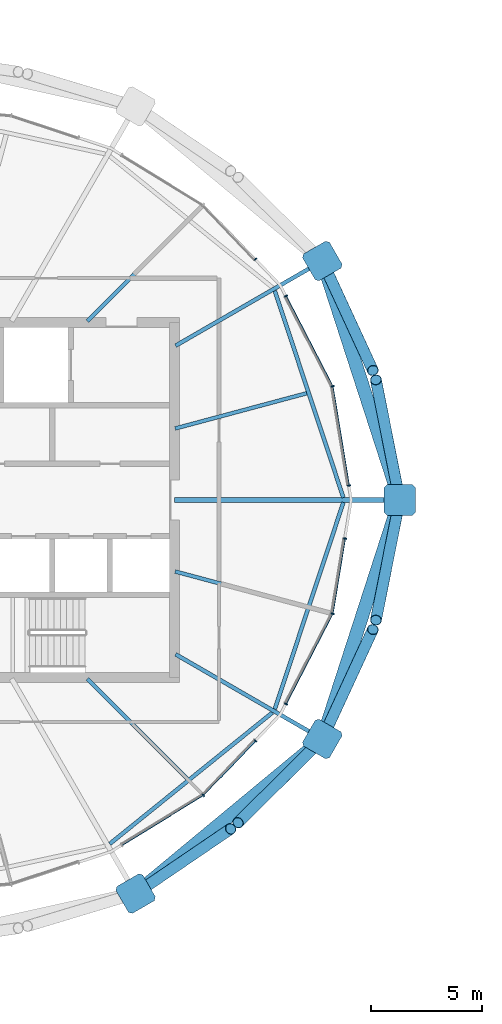
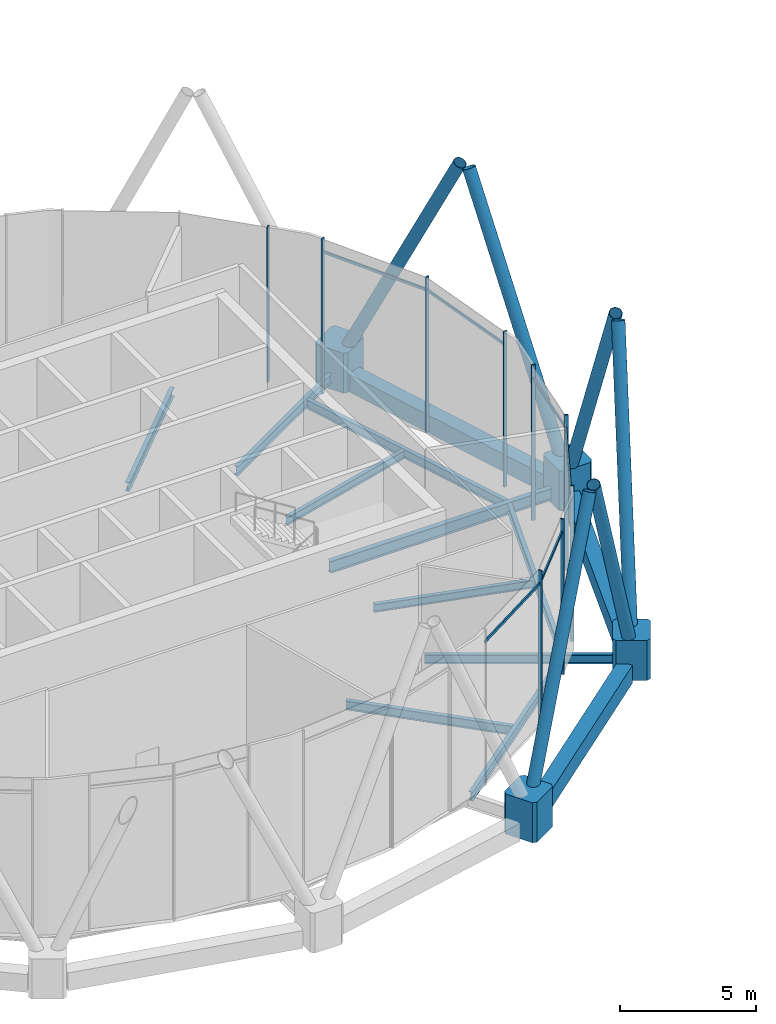
# One storey, part 6 of 28: 25 members, 13 beams, 1 element without a shape of its own.
"""IFC4 building model written with IfcOpenShell, lengths in metres."""

from ifc_helpers import new_model, si_unit, direction, frame, origin, origin_2d, place, context, subcontext, project, spatial, polyline, rectangle, hollow_rectangle, hollow_circle, i_section, outline, extrude, material, material_profile, profile_set, type_object, element, aggregate, save


model = new_model("IFC4")

# Units and contexts
model_context = context("Model", 3, precision=1e-05, world=origin(), true_north=direction((0.0, 1.0)))
body_context = subcontext(model_context, "Body", "Model", "MODEL_VIEW")
ifc_project = project(units=[si_unit("LENGTHUNIT", "METRE"), si_unit("AREAUNIT", "SQUARE_METRE"), si_unit("VOLUMEUNIT", "CUBIC_METRE"), si_unit("PLANEANGLEUNIT", "RADIAN"), si_unit("MASSUNIT", "GRAM", prefix="KILO")], contexts=[model_context])

# Site, building, storey
site_placement = place(None, origin())
site = spatial("IfcSite", under=ifc_project, at=site_placement, CompositionType="ELEMENT")
building_placement = place(site_placement, origin())
building = spatial("IfcBuilding", under=site, at=building_placement, Name="Rimbun Link Towers", CompositionType="ELEMENT")
storey_placement = place(building_placement, frame((0.0, 0.0, 256.10009765625)))
storey = spatial("IfcBuildingStorey", under=building, at=storey_placement, Name="L63", CompositionType="ELEMENT", Elevation=256.10009765625)

# Curtain wall, members
ifc_material_1 = material(Name="Aluminium 6063-T6 and low-iron glass", Category="aluminium")
curtain_wall_type = type_object("IfcCurtainWallType", Name="CW5 full height lobby wall", PredefinedType="NOTDEFINED", material=ifc_material_1)
curtain_wall_placement = place(storey_placement, origin())
curtain_wall = element("IfcCurtainWall", 1, at=curtain_wall_placement, inside=storey, type_object=curtain_wall_type, Name="CW5 L63 T1", PredefinedType="NOTDEFINED")
ifc_material_2 = material(Name="Aluminium 6063-T6", Category="aluminium")
ifc_material_profile_1 = material_profile(ifc_material_2, rectangle(XDim=0.14990234375, YDim=0.06005859375, at=origin_2d()), Name="MULLION 60X150")
ifc_profile_set_1 = profile_set([ifc_material_profile_1], Name="Aluminium 6063-T6")
member_type_1 = type_object("IfcMemberType", Name="CW5 mullion 60X150", PredefinedType="MULLION", material=ifc_profile_set_1)
member_1_placement = place(storey_placement, frame((-12.622314453125, 5.1298828125, 0.0), z_axis=(0.0, 0.0, 1.0), x_axis=(0.949163280594, 0.314784159024, 0.0)))
member_1 = element("IfcMember", 2, at=member_1_placement, type_object=member_type_1, Name="CW5 mullion", PredefinedType="MULLION", context=body_context, shape_type="SweptSolid", body=[
    extrude(rectangle(XDim=0.14990234375, YDim=0.06005859375, at=origin_2d()), origin(), (0.0, 0.0, 1.0), 7.0),
])
member_2_placement = place(storey_placement, frame((-11.885498046875, 0.653564453125, 0.0), z_axis=(0.0, 0.0, 1.0), x_axis=(0.986749868791, 0.162248871928, 0.0)))
member_2 = element("IfcMember", 3, at=member_2_placement, type_object=member_type_1, Name="CW5 mullion", PredefinedType="MULLION", context=body_context, shape_type="SweptSolid", body=[
    extrude(rectangle(XDim=0.14990234375, YDim=0.06005859375, at=origin_2d()), origin(), (0.0, 0.0, 1.0), 7.0),
])
member_3_placement = place(storey_placement, frame((-14.72314453125, 9.19189453125, 0.0), z_axis=(0.0, 0.0, 1.0), x_axis=(0.888151565285, 0.459550646917, 0.0)))
member_3 = element("IfcMember", 4, at=member_3_placement, type_object=member_type_1, Name="CW5 mullion", PredefinedType="MULLION", context=body_context, shape_type="SweptSolid", body=[
    extrude(rectangle(XDim=0.14990234375, YDim=0.06005859375, at=origin_2d()), origin(), (0.0, 0.0, 1.0), 7.0),
])
member_4_placement = place(storey_placement, frame((-16.095703125, 10.852783203125, 0.0), z_axis=(0.0, 0.0, 1.0), x_axis=(0.721846906045, 0.692052775613, 0.0)))
member_4 = element("IfcMember", 5, at=member_4_placement, type_object=member_type_1, Name="CW5 mullion", PredefinedType="MULLION", context=body_context, shape_type="SweptSolid", body=[
    extrude(rectangle(XDim=0.14990234375, YDim=0.06005859375, at=origin_2d()), origin(), (0.0, 0.0, 1.0), 7.0),
])
member_5_placement = place(storey_placement, frame((-18.451904296875, -13.3095703125, 0.0), z_axis=(0.0, 0.0, 1.0), x_axis=(0.627673907334, -0.778476374755, 0.0)))
member_5 = element("IfcMember", 6, at=member_5_placement, type_object=member_type_1, Name="CW5 mullion", PredefinedType="MULLION", context=body_context, shape_type="SweptSolid", body=[
    extrude(rectangle(XDim=0.14990234375, YDim=0.06005859375, at=origin_2d()), origin(), (0.0, 0.0, 1.0), 7.0),
])
member_6_placement = place(storey_placement, frame((-16.095703125, -10.852783203125, 0.0), z_axis=(0.0, 0.0, 1.0), x_axis=(0.721846906045, -0.692052775613, 0.0)))
member_6 = element("IfcMember", 7, at=member_6_placement, type_object=member_type_1, Name="CW5 mullion", PredefinedType="MULLION", context=body_context, shape_type="SweptSolid", body=[
    extrude(rectangle(XDim=0.14990234375, YDim=0.06005859375, at=origin_2d()), origin(), (0.0, 0.0, 1.0), 7.0),
])
member_7_placement = place(storey_placement, frame((-12.622314453125, -5.1298828125, 0.0), z_axis=(0.0, 0.0, 1.0), x_axis=(0.949163280594, -0.314784159024, 0.0)))
member_7 = element("IfcMember", 8, at=member_7_placement, type_object=member_type_1, Name="CW5 mullion", PredefinedType="MULLION", context=body_context, shape_type="SweptSolid", body=[
    extrude(rectangle(XDim=0.14990234375, YDim=0.06005859375, at=origin_2d()), origin(), (0.0, 0.0, 1.0), 7.0),
])
member_8_placement = place(storey_placement, frame((-14.72314453125, -9.19189453125, 0.0), z_axis=(0.0, 0.0, 1.0), x_axis=(0.888151565285, -0.459550646917, 0.0)))
member_8 = element("IfcMember", 9, at=member_8_placement, type_object=member_type_1, Name="CW5 mullion", PredefinedType="MULLION", context=body_context, shape_type="SweptSolid", body=[
    extrude(rectangle(XDim=0.14990234375, YDim=0.06005859375, at=origin_2d()), origin(), (0.0, 0.0, 1.0), 7.0),
])
member_9_placement = place(storey_placement, frame((-12.06396484375, -1.739013671875, 0.0), z_axis=(0.0, 0.0, 1.0), x_axis=(0.986749868791, -0.162248871928, 0.0)))
member_9 = element("IfcMember", 10, at=member_9_placement, type_object=member_type_1, Name="CW5 mullion", PredefinedType="MULLION", context=body_context, shape_type="SweptSolid", body=[
    extrude(rectangle(XDim=0.14990234375, YDim=0.06005859375, at=origin_2d()), origin(), (0.0, 0.0, 1.0), 7.0),
])
ifc_material_3 = material(Name="Aluminium 6063-T6", Category="aluminium")
ifc_material_profile_2 = material_profile(ifc_material_3, rectangle(XDim=0.06005859375, YDim=0.1201171875, at=origin_2d()), Name="TRANSOM 60X120")
ifc_profile_set_2 = profile_set([ifc_material_profile_2], Name="Aluminium 6063-T6")
member_type_2 = type_object("IfcMemberType", Name="CW5 transom 60X120", PredefinedType="USERDEFINED", material=ifc_profile_set_2)
member_10_placement = place(storey_placement, frame((-12.62744140625, 5.086669921875, 6.39990234375), z_axis=(0.162243798059, -0.986750703061, 0.0), x_axis=(0.986750703061, 0.162243798059, 0.0)))
member_10 = element("IfcMember", 11, at=member_10_placement, type_object=member_type_2, Name="CW5 transom", ObjectType="TRANSOM", PredefinedType="USERDEFINED", context=body_context, shape_type="SweptSolid", body=[
    extrude(rectangle(XDim=0.06005859375, YDim=0.1201171875, at=origin_2d()), origin(), (0.0, 0.0, 1.0), 4.464599609375),
])
member_11_placement = place(storey_placement, frame((-14.720947265625, 9.159423828125, 6.39990234375), z_axis=(0.459536524537, -0.888158872396, 0.0), x_axis=(0.888158872396, 0.459536524537, 0.0)))
member_11 = element("IfcMember", 12, at=member_11_placement, type_object=member_type_2, Name="CW5 transom", ObjectType="TRANSOM", PredefinedType="USERDEFINED", context=body_context, shape_type="SweptSolid", body=[
    extrude(rectangle(XDim=0.06005859375, YDim=0.1201171875, at=origin_2d()), origin(), (0.0, 0.0, 1.0), 4.50146484375),
])
member_12_placement = place(storey_placement, frame((-18.491943359375, -13.319580078125, 6.39990234375), z_axis=(-0.852171675946, -0.523262300108, 0.0), x_axis=(0.523262300108, -0.852171675946, 0.0)))
member_12 = element("IfcMember", 13, at=member_12_placement, type_object=member_type_2, Name="CW5 transom", ObjectType="TRANSOM", PredefinedType="USERDEFINED", context=body_context, shape_type="SweptSolid", body=[
    extrude(rectangle(XDim=0.06005859375, YDim=0.1201171875, at=origin_2d()), origin(), (0.0, 0.0, 1.0), 4.2421875),
])
member_13_placement = place(storey_placement, frame((-16.1259765625, -10.865478515625, 6.39990234375), z_axis=(-0.692011907201, -0.721886085398, 0.0), x_axis=(0.721886085398, -0.692011907201, 0.0)))
member_13 = element("IfcMember", 14, at=member_13_placement, type_object=member_type_2, Name="CW5 transom", ObjectType="TRANSOM", PredefinedType="USERDEFINED", context=body_context, shape_type="SweptSolid", body=[
    extrude(rectangle(XDim=0.06005859375, YDim=0.1201171875, at=origin_2d()), origin(), (0.0, 0.0, 1.0), 3.334228515625),
])
member_14_placement = place(storey_placement, frame((-12.65234375, -5.161376953125, 6.39990234375), z_axis=(-0.459536524537, -0.888158872396, 0.0), x_axis=(0.888158872396, -0.459536524537, 0.0)))
member_14 = element("IfcMember", 15, at=member_14_placement, type_object=member_type_2, Name="CW5 transom", ObjectType="TRANSOM", PredefinedType="USERDEFINED", context=body_context, shape_type="SweptSolid", body=[
    extrude(rectangle(XDim=0.06005859375, YDim=0.1201171875, at=origin_2d()), origin(), (0.0, 0.0, 1.0), 4.50146484375),
])
member_15_placement = place(storey_placement, frame((-12.08154296875, -1.766357421875, 6.39990234375), z_axis=(-0.162233697455, -0.986752363772, 0.0), x_axis=(0.986752363772, -0.162233697455, 0.0)))
member_15 = element("IfcMember", 16, at=member_15_placement, type_object=member_type_2, Name="CW5 transom", ObjectType="TRANSOM", PredefinedType="USERDEFINED", context=body_context, shape_type="SweptSolid", body=[
    extrude(rectangle(XDim=0.06005859375, YDim=0.1201171875, at=origin_2d()), origin(), (0.0, 0.0, 1.0), 3.364990234375),
])
aggregate(curtain_wall, [member_1, member_2, member_3, member_4, member_5, member_6, member_7, member_8, member_9, member_10, member_11, member_12, member_13, member_14, member_15])

# Members
ifc_material_4 = material(Name="Steel S355J2H", Category="steel")
ifc_material_profile_3 = material_profile(ifc_material_4, hollow_circle(Radius=0.25390625, WallThickness=0.02001953125, at=origin_2d()), Name="Diagrid diagonal CHS 508x20")
ifc_profile_set_3 = profile_set([ifc_material_profile_3], Name="Steel S355J2H")
member_type_3 = type_object("IfcMemberType", Name="Diagrid diagonal CHS 508x20", PredefinedType="BRACE", material=ifc_profile_set_3)
for number, where, z_axis, x_axis, name in (
    (17, (-9.6474609375, -0.218994140625, 0.447265625), (-0.087052365511, -0.438309793037, 0.89459846355), (0.980842132448, -0.19480428952, 0.0), "Diagrid diagonal T1 L63-L65 00a"),
    (18, (-9.6474609375, 0.218994140625, 0.447265625), (-0.087052365511, 0.438309793037, 0.89459846355), (-0.980842132448, -0.19480428952, 0.0), "Diagrid diagonal T1 L63-L65 00b"),
):
    element("IfcMember", number, at=place(storey_placement, frame(where, z_axis=z_axis, x_axis=x_axis)), inside=storey, type_object=member_type_3, Name=name, PredefinedType="BRACE", context=body_context, shape_type="SweptSolid", body=[
        extrude(hollow_circle(Radius=0.25390625, WallThickness=0.02001953125, at=origin_2d()), origin(), (0.0, 0.0, 1.0), 11.854736328125),
    ])
member_16_placement = place(storey_placement, frame((-13.001708984375, 10.570556640625, 0.448486328125), z_axis=(0.185020958526, -0.400785768117, 0.897294830578), x_axis=(0.907922393639, 0.419138315034, 0.0)))
element("IfcMember", 19, at=member_16_placement, inside=storey, type_object=member_type_3, Name="Diagrid diagonal T1 L63-L65 02a", PredefinedType="BRACE", context=body_context, shape_type="SweptSolid", body=[
    extrude(hollow_circle(Radius=0.25390625, WallThickness=0.02001953125, at=origin_2d()), origin(), (0.0, 0.0, 1.0), 11.81640625),
])
member_17_placement = place(storey_placement, frame((-21.333251953125, -17.618896484375, 0.45263671875), z_axis=(0.351103105686, 0.239096416771, 0.905295262699), x_axis=(-0.562867368721, 0.826547231094, 0.0)))
element("IfcMember", 20, at=member_17_placement, inside=storey, type_object=member_type_3, Name="Diagrid diagonal T1 L63-L65 20b", PredefinedType="BRACE", context=body_context, shape_type="SweptSolid", body=[
    extrude(hollow_circle(Radius=0.25390625, WallThickness=0.02001953125, at=origin_2d()), origin(), (0.0, 0.0, 1.0), 11.702880859375),
])
member_18_placement = place(storey_placement, frame((-13.248779296875, -10.9248046875, 0.44970703125), z_axis=(-0.309453031565, -0.307504961315, 0.899821937953), x_axis=(0.704870548634, -0.70933596389, 0.0)))
element("IfcMember", 21, at=member_18_placement, inside=storey, type_object=member_type_3, Name="Diagrid diagonal T1 L63-L65 22a", PredefinedType="BRACE", context=body_context, shape_type="SweptSolid", body=[
    extrude(hollow_circle(Radius=0.25390625, WallThickness=0.02001953125, at=origin_2d()), origin(), (0.0, 0.0, 1.0), 11.780517578125),
])
member_19_placement = place(storey_placement, frame((-13.001708984375, -10.570556640625, 0.448486328125), z_axis=(0.185020958526, 0.400785768117, 0.897294830578), x_axis=(-0.907922393639, 0.419138315034, 0.0)))
element("IfcMember", 22, at=member_19_placement, inside=storey, type_object=member_type_3, Name="Diagrid diagonal T1 L63-L65 22b", PredefinedType="BRACE", context=body_context, shape_type="SweptSolid", body=[
    extrude(hollow_circle(Radius=0.25390625, WallThickness=0.02001953125, at=origin_2d()), origin(), (0.0, 0.0, 1.0), 11.81640625),
])
ifc_material_5 = material(Name="Cast steel G20Mn5+QT, Rp0.2 300 MPa", Category="steel")
ifc_material_profile_4 = material_profile(ifc_material_5, outline(polyline([(0.699951171875, -0.570068359375), (0.699951171875, 0.570068359375), (0.570068359375, 0.699951171875), (-0.570068359375, 0.699951171875), (-0.699951171875, 0.570068359375), (-0.699951171875, -0.570068359375), (-0.570068359375, -0.699951171875), (0.570068359375, -0.699951171875), (0.699951171875, -0.570068359375)])), Name="NODE 1400x1400")
ifc_profile_set_4 = profile_set([ifc_material_profile_4], Name="Cast steel G20Mn5+QT, Rp0.2 300 MPa")
member_type_4 = type_object("IfcMemberType", Name="Diagrid node cast 1400", PredefinedType="USERDEFINED", material=ifc_profile_set_4)
for number, where, z_axis, x_axis, name in (
    (23, (-9.60400390625, 0.0, -0.900146484375), (0.0, 0.0, 1.0), (1.0, 0.0, 0.0), "Diagrid node L63 00"),
    (24, (-13.093994140625, 10.77099609375, -0.900146484375), (0.0, 0.0, 1.0), (0.866025403784, 0.5, 0.0), "Diagrid node L63 02"),
    (25, (-21.5087890625, -17.73828125, -0.900146484375), (0.0, 0.0, 1.0), (0.5, -0.866025403784, 0.0), "Diagrid node L63 20"),
    (26, (-13.093994140625, -10.77099609375, -0.900146484375), (0.0, 0.0, 1.0), (0.866025403784, -0.5, 0.0), "Diagrid node L63 22"),
):
    element("IfcMember", number, at=place(storey_placement, frame(where, z_axis=z_axis, x_axis=x_axis)), inside=storey, type_object=member_type_4, Name=name, ObjectType="Diagrid node", PredefinedType="USERDEFINED", context=body_context, shape_type="SweptSolid", body=[
        extrude(outline(polyline([(0.699951171875, -0.570068359375), (0.699951171875, 0.570068359375), (0.570068359375, 0.699951171875), (-0.570068359375, 0.699951171875), (-0.699951171875, 0.570068359375), (-0.699951171875, -0.570068359375), (-0.570068359375, -0.699951171875), (0.570068359375, -0.699951171875), (0.699951171875, -0.570068359375)])), origin(), (0.0, 0.0, 1.0), 1.800048828125),
    ])

# Beams
ifc_material_6 = material(Name="Steel S355J2", Category="steel")
ifc_material_profile_5 = material_profile(ifc_material_6, hollow_rectangle(XDim=0.60009765625, YDim=0.800048828125, WallThickness=0.0400390625, at=origin_2d()), Name="Exoskeleton ring girder BOX 600x800x40")
ifc_profile_set_5 = profile_set([ifc_material_profile_5], Name="Steel S355J2")
beam_type_1 = type_object("IfcBeamType", Name="Exoskeleton ring girder BOX 600x800x40", PredefinedType="BEAM", material=ifc_profile_set_5)
beam_1_placement = place(storey_placement, frame((-9.81982421875, 0.666015625, -0.56005859375), z_axis=(-0.308259184516, 0.951302409942, 0.0), x_axis=(-0.951302409942, -0.308259184516, 0.0)))
element("IfcBeam", 27, at=beam_1_placement, inside=storey, type_object=beam_type_1, Name="Exoskeleton ring girder L63 00", PredefinedType="BEAM", context=body_context, shape_type="SweptSolid", body=[
    extrude(hollow_rectangle(XDim=0.60009765625, YDim=0.800048828125, WallThickness=0.0400390625, at=origin_2d()), origin(), (0.0, 0.0, 1.0), 9.922119140625),
])
beam_2_placement = place(storey_placement, frame((-20.969482421875, -17.2919921875, -0.56005859375), z_axis=(0.770219769498, 0.637778571821, 0.0), x_axis=(-0.637778571821, 0.770219769498, 0.0)))
element("IfcBeam", 28, at=beam_2_placement, inside=storey, type_object=beam_type_1, Name="Exoskeleton ring girder L63 10", PredefinedType="BEAM", context=body_context, shape_type="SweptSolid", body=[
    extrude(hollow_rectangle(XDim=0.60009765625, YDim=0.800048828125, WallThickness=0.0400390625, at=origin_2d()), origin(), (0.0, 0.0, 1.0), 9.52490234375),
])
beam_3_placement = place(storey_placement, frame((-12.87841796875, -10.10498046875, -0.56005859375), z_axis=(0.308259184516, 0.951302409942, 0.0), x_axis=(-0.951302409942, 0.308259184516, 0.0)))
element("IfcBeam", 29, at=beam_3_placement, inside=storey, type_object=beam_type_1, Name="Exoskeleton ring girder L63 11", PredefinedType="BEAM", context=body_context, shape_type="SweptSolid", body=[
    extrude(hollow_rectangle(XDim=0.60009765625, YDim=0.800048828125, WallThickness=0.0400390625, at=origin_2d()), origin(), (0.0, 0.0, 1.0), 9.922119140625),
])
ifc_material_7 = material(Name="Steel S355J2", Category="steel")
ifc_material_profile_6 = material_profile(ifc_material_7, i_section(OverallWidth=0.17138671875, OverallDepth=0.35498046875, WebThickness=0.00732421875, FlangeThickness=0.011474609375, at=origin_2d()), Name="UB 356x171x51")
ifc_profile_set_6 = profile_set([ifc_material_profile_6], Name="Steel S355J2")
beam_type_2 = type_object("IfcBeamType", Name="UB 356x171x51", PredefinedType="BEAM", material=ifc_profile_set_6)
for number, where, z_axis, x_axis, name in (
    (30, (-19.726806640625, 3.2216796875, -0.357666015625), (0.96593189457, 0.258796396906, 0.0), (-0.258796396906, 0.96593189457, 0.0), "Radial beam T1 L63 01"),
    (31, (-19.726806640625, -3.2216796875, -0.357666015625), (0.96593189457, -0.258796396906, 0.0), (0.258796396906, 0.96593189457, 0.0), "Radial beam T1 L63 23"),
):
    element("IfcBeam", number, at=place(storey_placement, frame(where, z_axis=z_axis, x_axis=x_axis)), inside=storey, type_object=beam_type_2, Name=name, PredefinedType="BEAM", context=body_context, shape_type="SweptSolid", body=[
        extrude(i_section(OverallWidth=0.17138671875, OverallDepth=0.35498046875, WebThickness=0.00732421875, FlangeThickness=0.011474609375, at=origin_2d()), origin(), (0.0, 0.0, 1.0), 6.137451171875),
    ])
ifc_material_8 = material(Name="Steel S355J2", Category="steel")
ifc_material_profile_7 = material_profile(ifc_material_8, i_section(OverallWidth=0.177978515625, OverallDepth=0.406494140625, WebThickness=0.0078125, FlangeThickness=0.0126953125, at=origin_2d()), Name="UB 406x178x60")
ifc_profile_set_7 = profile_set([ifc_material_profile_7], Name="Steel S355J2")
beam_type_3 = type_object("IfcBeamType", Name="UB 406x178x60", PredefinedType="BEAM", material=ifc_profile_set_7)
beam_4_placement = place(storey_placement, frame((-19.70458984375, 6.954345703125, -0.38330078125), z_axis=(0.866020866682, 0.50000785841, 0.0), x_axis=(-0.50000785841, 0.866020866682, 0.0)))
element("IfcBeam", 32, at=beam_4_placement, inside=storey, type_object=beam_type_3, Name="Radial beam T1 L63 02", PredefinedType="BEAM", context=body_context, shape_type="SweptSolid", body=[
    extrude(i_section(OverallWidth=0.177978515625, OverallDepth=0.406494140625, WebThickness=0.0078125, FlangeThickness=0.0126953125, at=origin_2d()), origin(), (0.0, 0.0, 1.0), 7.13330078125),
])
for number, where, z_axis, x_axis, name in (
    (33, (-23.686279296875, 8.063720703125, -0.38330078125), (0.707106781187, 0.707106781187, 0.0), (-0.707106781187, 0.707106781187, 0.0), "Radial beam T1 L63 03"),
    (34, (-23.686279296875, -8.063720703125, -0.38330078125), (0.707106781187, -0.707106781187, 0.0), (0.707106781187, 0.707106781187, 0.0), "Radial beam T1 L63 21"),
):
    element("IfcBeam", number, at=place(storey_placement, frame(where, z_axis=z_axis, x_axis=x_axis)), inside=storey, type_object=beam_type_3, Name=name, PredefinedType="BEAM", context=body_context, shape_type="SweptSolid", body=[
        extrude(i_section(OverallWidth=0.177978515625, OverallDepth=0.406494140625, WebThickness=0.0078125, FlangeThickness=0.0126953125, at=origin_2d()), origin(), (0.0, 0.0, 1.0), 6.366455078125),
    ])
beam_5_placement = place(storey_placement, frame((-19.70458984375, -6.954345703125, -0.38330078125), z_axis=(0.866020866682, -0.50000785841, 0.0), x_axis=(0.50000785841, 0.866020866682, 0.0)))
element("IfcBeam", 35, at=beam_5_placement, inside=storey, type_object=beam_type_3, Name="Radial beam T1 L63 22", PredefinedType="BEAM", context=body_context, shape_type="SweptSolid", body=[
    extrude(i_section(OverallWidth=0.177978515625, OverallDepth=0.406494140625, WebThickness=0.0078125, FlangeThickness=0.0126953125, at=origin_2d()), origin(), (0.0, 0.0, 1.0), 7.13330078125),
])
beam_6_placement = place(storey_placement, frame((-12.142333984375, 0.105712890625, -0.38330078125), z_axis=(-0.314952660284, 0.949107381586, 0.0), x_axis=(-0.949107381586, -0.314952660284, 0.0)))
element("IfcBeam", 36, at=beam_6_placement, inside=storey, type_object=beam_type_3, Name="Edge beam T1 L63 00-02", PredefinedType="BEAM", context=body_context, shape_type="SweptSolid", body=[
    extrude(i_section(OverallWidth=0.177978515625, OverallDepth=0.406494140625, WebThickness=0.0078125, FlangeThickness=0.0126953125, at=origin_2d()), origin(), (0.0, 0.0, 1.0), 9.824462890625),
])
beam_7_placement = place(storey_placement, frame((-22.6708984375, -15.495849609375, -0.38330078125), z_axis=(0.778080013236, 0.628165179712, 0.0), x_axis=(-0.628165179712, 0.778080013236, 0.0)))
element("IfcBeam", 37, at=beam_7_placement, inside=storey, type_object=beam_type_3, Name="Edge beam T1 L63 20-22", PredefinedType="BEAM", context=body_context, shape_type="SweptSolid", body=[
    extrude(i_section(OverallWidth=0.177978515625, OverallDepth=0.406494140625, WebThickness=0.0078125, FlangeThickness=0.0126953125, at=origin_2d()), origin(), (0.0, 0.0, 1.0), 9.421142578125),
])
beam_8_placement = place(storey_placement, frame((-15.236572265625, -9.43017578125, -0.38330078125), z_axis=(0.314952660284, 0.949107381586, 0.0), x_axis=(-0.949107381586, 0.314952660284, 0.0)))
element("IfcBeam", 38, at=beam_8_placement, inside=storey, type_object=beam_type_3, Name="Edge beam T1 L63 22-00", PredefinedType="BEAM", context=body_context, shape_type="SweptSolid", body=[
    extrude(i_section(OverallWidth=0.177978515625, OverallDepth=0.406494140625, WebThickness=0.0078125, FlangeThickness=0.0126953125, at=origin_2d()), origin(), (0.0, 0.0, 1.0), 9.824462890625),
])
ifc_material_9 = material(Name="Steel S355J2", Category="steel")
ifc_material_profile_8 = material_profile(ifc_material_9, i_section(OverallWidth=0.209228515625, OverallDepth=0.533203125, WebThickness=0.010009765625, FlangeThickness=0.015625, at=origin_2d()), Name="UB 533x210x92")
ifc_profile_set_8 = profile_set([ifc_material_profile_8], Name="Steel S355J2")
beam_type_4 = type_object("IfcBeamType", Name="UB 533x210x92", PredefinedType="BEAM", material=ifc_profile_set_8)
beam_9_placement = place(storey_placement, frame((-19.7490234375, 0.0, -0.446533203125), z_axis=(1.0, 0.0, 0.0), x_axis=(0.0, 1.0, 0.0)))
element("IfcBeam", 39, at=beam_9_placement, inside=storey, type_object=beam_type_4, Name="Radial beam T1 L63 00", PredefinedType="BEAM", context=body_context, shape_type="SweptSolid", body=[
    extrude(i_section(OverallWidth=0.209228515625, OverallDepth=0.533203125, WebThickness=0.010009765625, FlangeThickness=0.015625, at=origin_2d()), origin(), (0.0, 0.0, 1.0), 9.64501953125),
])

save(model, "model.ifc")
